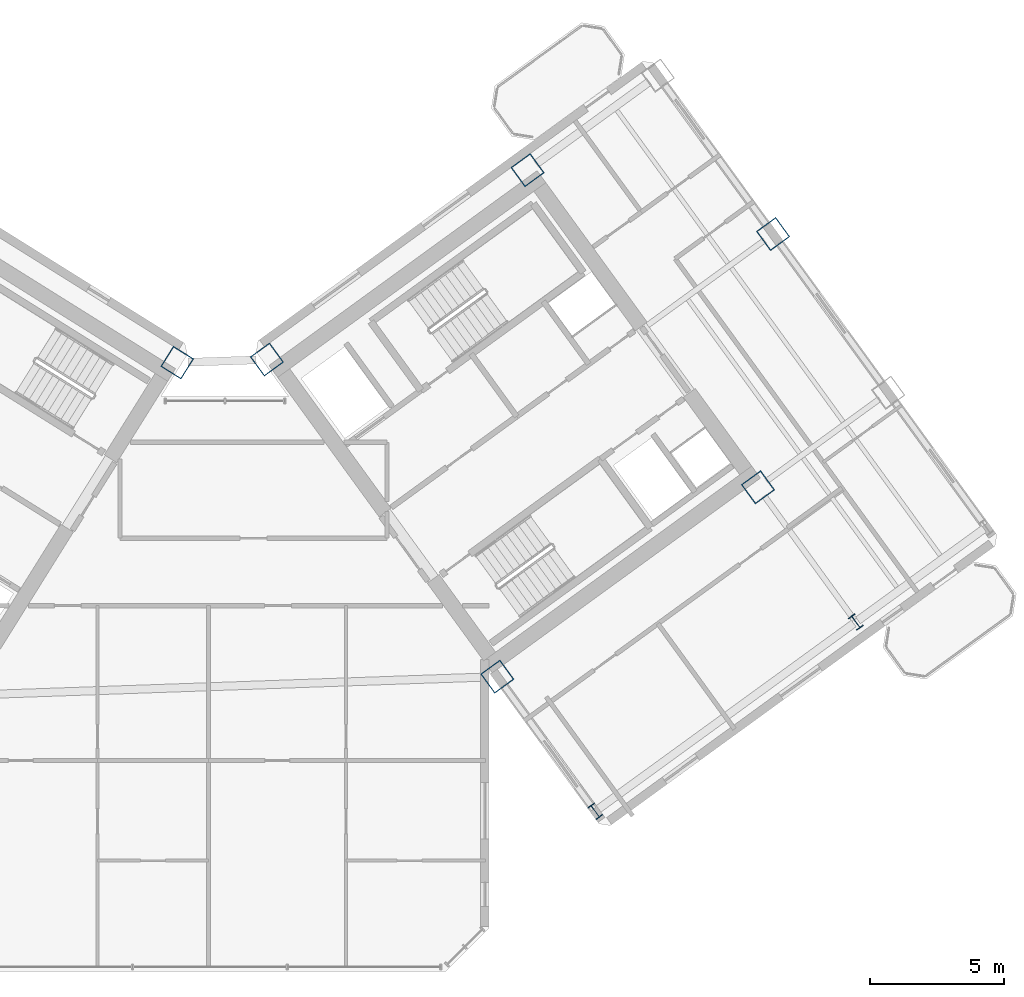
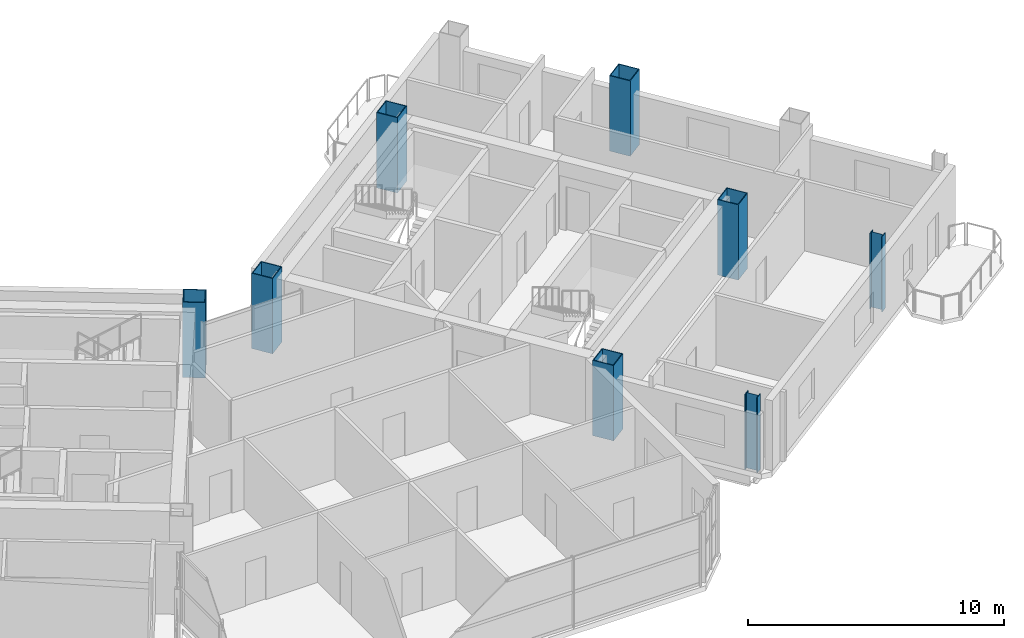
# One storey, part 2 of 25: 8 columns.
"""IFC4 building model written with IfcOpenShell, lengths in metres."""

from ifc_helpers import new_model, si_unit, direction, frame, origin, origin_2d, place, context, subcontext, project, spatial, hollow_rectangle, i_section, extrude, source, transform, mapped, material, material_profile, profile_set, type_object, element, save


model = new_model("IFC4")

# Units and contexts
model_context = context("Model", 3, precision=1e-05, world=origin(), true_north=direction((0.0, 1.0)))
body_context = subcontext(model_context, "Body", "Model", "MODEL_VIEW")
ifc_project = project(units=[si_unit("LENGTHUNIT", "METRE"), si_unit("AREAUNIT", "SQUARE_METRE"), si_unit("VOLUMEUNIT", "CUBIC_METRE"), si_unit("PLANEANGLEUNIT", "RADIAN"), si_unit("MASSUNIT", "GRAM", prefix="KILO")], contexts=[model_context])

# Site, building, storey
site_placement = place(None, origin())
site = spatial("IfcSite", under=ifc_project, at=site_placement, CompositionType="ELEMENT")
building_placement = place(site_placement, origin())
building = spatial("IfcBuilding", under=site, at=building_placement, Name="Tlacorven Tower", CompositionType="ELEMENT")
storey_placement = place(building_placement, frame((0.0, 0.0, 155.10009765625)))
storey = spatial("IfcBuildingStorey", under=building, at=storey_placement, Name="L39", CompositionType="ELEMENT", Elevation=155.10009765625)

# Columns
ifc_material = material(Name="Steel S460M", Category="steel")
ifc_material_profile_1 = material_profile(ifc_material, hollow_rectangle(XDim=0.89990234375, YDim=0.89990234375, WallThickness=0.035888671875, at=origin_2d()), Name="BOX 900X900X36")
ifc_profile_set_1 = profile_set([ifc_material_profile_1], Name="Steel S460M")
column_type_1 = type_object("IfcColumnType", Name="COL-TWR-S2", PredefinedType="COLUMN", material=ifc_profile_set_1)
shared_shape_1 = source(origin(), body_context, "Body", "SweptSolid", [
    extrude(hollow_rectangle(XDim=0.89990234375, YDim=0.89990234375, WallThickness=0.035888671875, at=origin_2d()), origin(), (0.0, 0.0, 1.0), 3.599853515625),
])
for number, where, z_axis, x_axis, name in (
    (1, (40.782958984375, 24.468505859375, 0.0), (0.0, 0.0, 1.0), (-0.848048096156, 0.529919264233, 0.0), "L39 column COL-L39-W1-1"),
    (2, (52.705322265625, 12.7734375, 0.0), (0.0, 0.0, 1.0), (0.809016994375, 0.587785252292, 0.0), "L39 column COL-L39-E1-2"),
    (3, (44.123779296875, 24.5849609375, 0.0), (0.0, 0.0, 1.0), (0.809016994375, 0.587785252292, 0.0), "L39 column COL-L39-E1-4"),
    (4, (62.41357421875, 19.826904296875, 0.0), (0.0, 0.0, 1.0), (0.809016994375, 0.587785252292, 0.0), "L39 column COL-L39-E3-2"),
    (5, (53.83203125, 31.638427734375, 0.0), (0.0, 0.0, 1.0), (0.809016994375, 0.587785252292, 0.0), "L39 column COL-L39-E3-4"),
    (6, (62.976806640625, 29.25927734375, 0.0), (0.0, 0.0, 1.0), (0.809016994375, 0.587785252292, 0.0), "L39 column COL-L39-E4-3"),
):
    element("IfcColumn", number, at=place(storey_placement, frame(where, z_axis=z_axis, x_axis=x_axis)), inside=storey, type_object=column_type_1, Name=name, PredefinedType="COLUMN", context=body_context, shape_type="MappedRepresentation", body=[
        mapped(shared_shape_1, transform((0.0, 0.0, 0.0), scale=1.0)),
    ])
ifc_material_profile_2 = material_profile(ifc_material, i_section(OverallWidth=0.300048828125, OverallDepth=0.550048828125, WebThickness=0.014892578125, FlangeThickness=0.029052734375, at=origin_2d()), Name="HEB 550")
ifc_profile_set_2 = profile_set([ifc_material_profile_2], Name="Steel S460M")
column_type_2 = type_object("IfcColumnType", Name="COL-TWR-P2", PredefinedType="COLUMN", material=ifc_profile_set_2)
shared_shape_2 = source(origin(), body_context, "Body", "SweptSolid", [
    extrude(i_section(OverallWidth=0.300048828125, OverallDepth=0.550048828125, WebThickness=0.014892578125, FlangeThickness=0.029052734375, at=origin_2d()), origin(), (0.0, 0.0, 1.0), 3.599853515625),
])
for number, where, z_axis, x_axis, name in (
    (7, (56.349609375, 7.757568359375, 0.0), (0.0, 0.0, 1.0), (0.809016994375, 0.587785252292, 0.0), "L39 column COL-L39-E1-1"),
    (8, (66.057861328125, 14.81103515625, 0.0), (0.0, 0.0, 1.0), (0.809016994375, 0.587785252292, 0.0), "L39 column COL-L39-E3-1"),
):
    element("IfcColumn", number, at=place(storey_placement, frame(where, z_axis=z_axis, x_axis=x_axis)), inside=storey, type_object=column_type_2, Name=name, PredefinedType="COLUMN", context=body_context, shape_type="MappedRepresentation", body=[
        mapped(shared_shape_2, transform((0.0, 0.0, 0.0), scale=1.0)),
    ])

save(model, "model.ifc")
